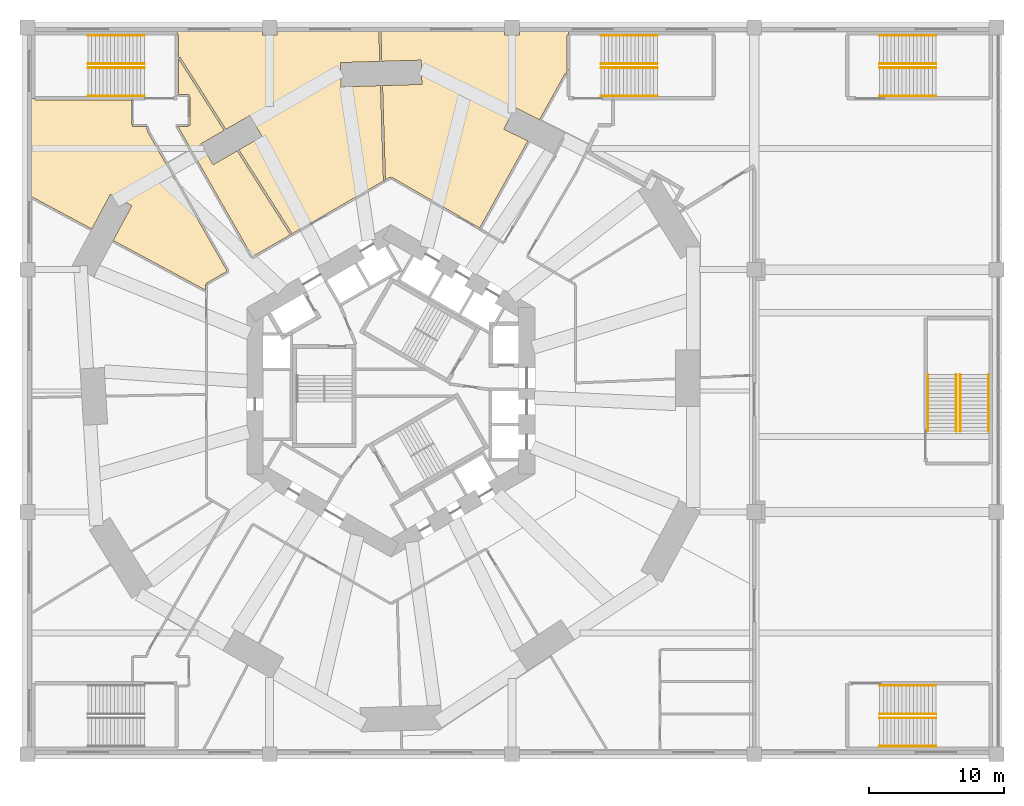
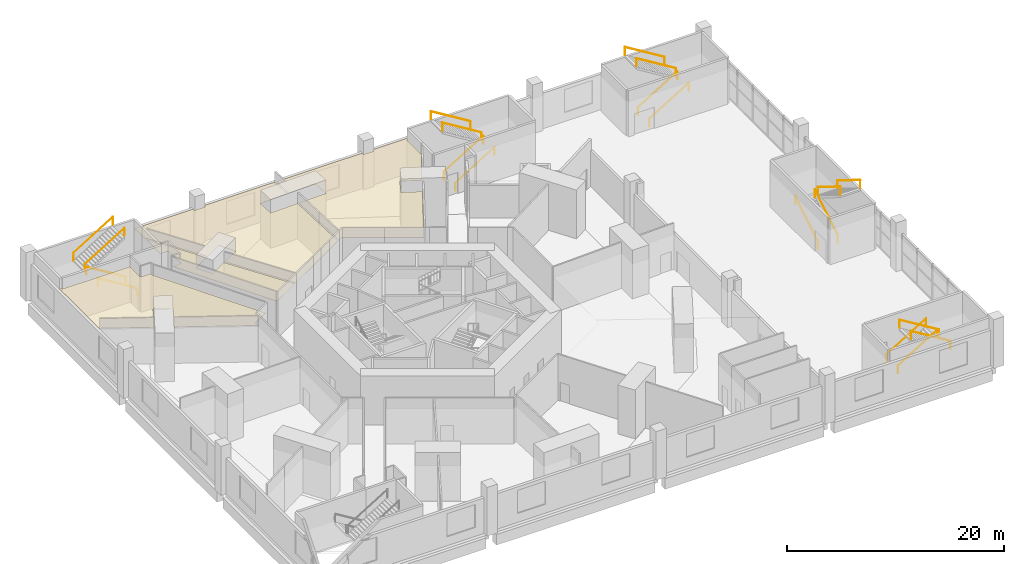
# One storey, part 16 of 16: 20 railings, 4 coverings.
"""IFC4 building model written with IfcOpenShell, lengths in metres."""

from ifc_helpers import new_model, si_unit, direction, frame, origin, origin_2d, place, context, subcontext, project, spatial, polyline, circle, outline, extrude, material, layer, layer_set, type_object, element, save


model = new_model("IFC4")

# Units and contexts
model_context = context("Model", 3, precision=1e-05, world=origin(), true_north=direction((0.0, 1.0)))
body_context = subcontext(model_context, "Body", "Model", "MODEL_VIEW")
ifc_project = project(units=[si_unit("LENGTHUNIT", "METRE"), si_unit("AREAUNIT", "SQUARE_METRE"), si_unit("VOLUMEUNIT", "CUBIC_METRE"), si_unit("PLANEANGLEUNIT", "RADIAN"), si_unit("MASSUNIT", "GRAM", prefix="KILO")], contexts=[model_context])

# Site, building, storey
site_placement = place(None, origin())
site = spatial("IfcSite", under=ifc_project, at=site_placement, CompositionType="ELEMENT")
building_placement = place(site_placement, origin())
building = spatial("IfcBuilding", under=site, at=building_placement, Name="Vanh Sen Convention Tower", CompositionType="ELEMENT")
storey_placement = place(building_placement, frame((0.0, 0.0, 7.5)))
storey = spatial("IfcBuildingStorey", under=building, at=storey_placement, Name="L01", CompositionType="ELEMENT", Elevation=7.5)

# Railings
ifc_material_1 = material(Name="Stainless steel", Category="steel")
railing_type = type_object("IfcRailingType", Name="Podium handrail 900", PredefinedType="HANDRAIL", material=ifc_material_1)
for number, where, name in (
    (1, (36.300048828125, 21.89990234375, 0.171875), "Handrail PS1 L01"),
    (2, (36.300048828125, 24.0, 0.171875), "Handrail PS1 L01"),
):
    element("IfcRailing", number, at=place(storey_placement, frame(where)), inside=storey, type_object=railing_type, Name=name, PredefinedType="HANDRAIL", context=body_context, shape_type="SweptSolid", body=[
        extrude(circle(Radius=0.02392578125, at=origin_2d()), frame((0.0, 0.0, 0.8759765625), z_axis=(0.852242915053, 0.0, 0.523146264196), x_axis=(0.0, 1.0, 0.0)), (0.0, 0.0, 1.0), 4.92822265625),
        extrude(circle(Radius=0.02099609375, at=origin_2d()), origin(), (0.0, 0.0, 1.0), 0.851806640625),
        extrude(circle(Radius=0.02099609375, at=origin_2d()), frame((4.199951171875, 0.0, 2.578125)), (0.0, 0.0, 1.0), 0.851806640625),
    ])
for number, where, name in (
    (3, (40.5, 26.39990234375, 2.921875), "Handrail PS1 L01"),
    (4, (40.5, 24.300048828125, 2.921875), "Handrail PS1 L01"),
):
    element("IfcRailing", number, at=place(storey_placement, frame(where)), inside=storey, type_object=railing_type, Name=name, PredefinedType="HANDRAIL", context=body_context, shape_type="SweptSolid", body=[
        extrude(circle(Radius=0.02392578125, at=origin_2d()), frame((0.0, 0.0, 0.8759765625), z_axis=(-0.852242915053, 0.0, 0.523146264196), x_axis=(0.0, -1.0, 0.0)), (0.0, 0.0, 1.0), 4.92822265625),
        extrude(circle(Radius=0.02099609375, at=origin_2d()), origin(), (0.0, 0.0, 1.0), 0.851806640625),
        extrude(circle(Radius=0.02099609375, at=origin_2d()), frame((-4.199951171875, 0.0, 2.578125)), (0.0, 0.0, 1.0), 0.851806640625),
    ])
for number, where, name in (
    (5, (36.300048828125, -21.89990234375, 0.171875), "Handrail PS2 L01"),
    (6, (36.300048828125, -24.0, 0.171875), "Handrail PS2 L01"),
):
    element("IfcRailing", number, at=place(storey_placement, frame(where)), inside=storey, type_object=railing_type, Name=name, PredefinedType="HANDRAIL", context=body_context, shape_type="SweptSolid", body=[
        extrude(circle(Radius=0.02392578125, at=origin_2d()), frame((0.0, 0.0, 0.8759765625), z_axis=(0.852242915053, 0.0, 0.523146264196), x_axis=(0.0, 1.0, 0.0)), (0.0, 0.0, 1.0), 4.92822265625),
        extrude(circle(Radius=0.02099609375, at=origin_2d()), origin(), (0.0, 0.0, 1.0), 0.851806640625),
        extrude(circle(Radius=0.02099609375, at=origin_2d()), frame((4.199951171875, 0.0, 2.578125)), (0.0, 0.0, 1.0), 0.851806640625),
    ])
for number, where, name in (
    (7, (40.5, -26.39990234375, 2.921875), "Handrail PS2 L01"),
    (8, (40.5, -24.300048828125, 2.921875), "Handrail PS2 L01"),
):
    element("IfcRailing", number, at=place(storey_placement, frame(where)), inside=storey, type_object=railing_type, Name=name, PredefinedType="HANDRAIL", context=body_context, shape_type="SweptSolid", body=[
        extrude(circle(Radius=0.02392578125, at=origin_2d()), frame((0.0, 0.0, 0.8759765625), z_axis=(-0.852242915053, 0.0, 0.523146264196), x_axis=(0.0, -1.0, 0.0)), (0.0, 0.0, 1.0), 4.92822265625),
        extrude(circle(Radius=0.02099609375, at=origin_2d()), origin(), (0.0, 0.0, 1.0), 0.851806640625),
        extrude(circle(Radius=0.02099609375, at=origin_2d()), frame((-4.199951171875, 0.0, 2.578125)), (0.0, 0.0, 1.0), 0.851806640625),
    ])
for number, where, name in (
    (9, (39.89990234375, -3.0, 0.171875), "Handrail PS3 L01"),
    (10, (42.0, -3.0, 0.171875), "Handrail PS3 L01"),
):
    element("IfcRailing", number, at=place(storey_placement, frame(where)), inside=storey, type_object=railing_type, Name=name, PredefinedType="HANDRAIL", context=body_context, shape_type="SweptSolid", body=[
        extrude(circle(Radius=0.02392578125, at=origin_2d()), frame((0.0, 0.0, 0.8759765625), z_axis=(0.0, 0.852242915053, 0.523146264196), x_axis=(-1.0, 0.0, 0.0)), (0.0, 0.0, 1.0), 4.92822265625),
        extrude(circle(Radius=0.02099609375, at=origin_2d()), origin(), (0.0, 0.0, 1.0), 0.851806640625),
        extrude(circle(Radius=0.02099609375, at=origin_2d()), frame((0.0, 4.199951171875, 2.578125)), (0.0, 0.0, 1.0), 0.851806640625),
    ])
for number, where, name in (
    (11, (44.39990234375, 1.199951171875, 2.921875), "Handrail PS3 L01"),
    (12, (42.300048828125, 1.199951171875, 2.921875), "Handrail PS3 L01"),
):
    element("IfcRailing", number, at=place(storey_placement, frame(where)), inside=storey, type_object=railing_type, Name=name, PredefinedType="HANDRAIL", context=body_context, shape_type="SweptSolid", body=[
        extrude(circle(Radius=0.02392578125, at=origin_2d()), frame((0.0, 0.0, 0.8759765625), z_axis=(0.0, -0.852242915053, 0.523146264196), x_axis=(1.0, 0.0, 0.0)), (0.0, 0.0, 1.0), 4.92822265625),
        extrude(circle(Radius=0.02099609375, at=origin_2d()), origin(), (0.0, 0.0, 1.0), 0.851806640625),
        extrude(circle(Radius=0.02099609375, at=origin_2d()), frame((0.0, -4.199951171875, 2.578125)), (0.0, 0.0, 1.0), 0.851806640625),
    ])
for number, where, name in (
    (13, (15.60009765625, 21.89990234375, 0.171875), "Handrail PS4 L01"),
    (14, (15.60009765625, 24.0, 0.171875), "Handrail PS4 L01"),
):
    element("IfcRailing", number, at=place(storey_placement, frame(where)), inside=storey, type_object=railing_type, Name=name, PredefinedType="HANDRAIL", context=body_context, shape_type="SweptSolid", body=[
        extrude(circle(Radius=0.02392578125, at=origin_2d()), frame((0.0, 0.0, 0.8759765625), z_axis=(0.852242915053, 0.0, 0.523146264196), x_axis=(0.0, 1.0, 0.0)), (0.0, 0.0, 1.0), 4.92822265625),
        extrude(circle(Radius=0.02099609375, at=origin_2d()), origin(), (0.0, 0.0, 1.0), 0.851806640625),
        extrude(circle(Radius=0.02099609375, at=origin_2d()), frame((4.199951171875, 0.0, 2.578125)), (0.0, 0.0, 1.0), 0.851806640625),
    ])
for number, where, name in (
    (15, (19.800048828125, 26.39990234375, 2.921875), "Handrail PS4 L01"),
    (16, (19.800048828125, 24.300048828125, 2.921875), "Handrail PS4 L01"),
    (17, (-18.300048828125, 21.89990234375, 0.171875), "Handrail PS5 L01"),
    (18, (-18.300048828125, 24.0, 0.171875), "Handrail PS5 L01"),
):
    element("IfcRailing", number, at=place(storey_placement, frame(where)), inside=storey, type_object=railing_type, Name=name, PredefinedType="HANDRAIL", context=body_context, shape_type="SweptSolid", body=[
        extrude(circle(Radius=0.02392578125, at=origin_2d()), frame((0.0, 0.0, 0.8759765625), z_axis=(-0.852242915053, 0.0, 0.523146264196), x_axis=(0.0, -1.0, 0.0)), (0.0, 0.0, 1.0), 4.92822265625),
        extrude(circle(Radius=0.02099609375, at=origin_2d()), origin(), (0.0, 0.0, 1.0), 0.851806640625),
        extrude(circle(Radius=0.02099609375, at=origin_2d()), frame((-4.199951171875, 0.0, 2.578125)), (0.0, 0.0, 1.0), 0.851806640625),
    ])
for number, where, name in (
    (19, (-22.5, 26.39990234375, 2.921875), "Handrail PS5 L01"),
    (20, (-22.5, 24.300048828125, 2.921875), "Handrail PS5 L01"),
):
    element("IfcRailing", number, at=place(storey_placement, frame(where)), inside=storey, type_object=railing_type, Name=name, PredefinedType="HANDRAIL", context=body_context, shape_type="SweptSolid", body=[
        extrude(circle(Radius=0.02392578125, at=origin_2d()), frame((0.0, 0.0, 0.8759765625), z_axis=(0.852242915053, 0.0, 0.523146264196), x_axis=(0.0, 1.0, 0.0)), (0.0, 0.0, 1.0), 4.92822265625),
        extrude(circle(Radius=0.02099609375, at=origin_2d()), origin(), (0.0, 0.0, 1.0), 0.851806640625),
        extrude(circle(Radius=0.02099609375, at=origin_2d()), frame((4.199951171875, 0.0, 2.578125)), (0.0, 0.0, 1.0), 0.851806640625),
    ])

# Coverings
ifc_material_2 = material(Name="Mineral fibre tiles in a concealed grid")
ifc_layer = layer(ifc_material_2, 0.0400390625)
ifc_layer_set = layer_set([ifc_layer], Name="Mineral fibre tiles in a concealed grid")
covering_type = type_object("IfcCoveringType", Name="Suspended ceiling 600 x 600 tile", PredefinedType="CEILING", material=ifc_layer_set)
covering_1_placement = place(storey_placement, frame((0.0, 0.0, 3.9599609375)))
element("IfcCovering", 21, at=covering_1_placement, inside=storey, type_object=covering_type, Name="Suspended ceiling CL3 Breakout meeting room", PredefinedType="CEILING", context=body_context, shape_type="SweptSolid", body=[
    extrude(outline(polyline([(10.174560546875, 18.560302734375), (8.396484375, 19.44677734375), (9.19970703125, 21.0576171875), (11.11181640625, 20.104248046875), (11.047607421875, 20.139892578125), (12.944580078125, 23.574462890625), (13.011474609375, 23.53759765625), (13.074951171875, 23.652587890625), (13.074951171875, 23.85107421875), (13.18505859375, 23.85107421875), (13.199951171875, 23.87841796875), (13.074951171875, 23.87841796875), (13.074951171875, 26.43994140625), (13.199951171875, 26.43994140625), (13.199951171875, 26.699951171875), (9.550048828125, 26.699951171875), (9.550048828125, 26.449951171875), (8.449951171875, 26.449951171875), (8.449951171875, 26.699951171875), (-0.740478515625, 26.699951171875), (-0.672607421875, 24.47900390625), (2.250732421875, 24.568359375), (2.305908203125, 22.769287109375), (-0.617919921875, 22.679931640625), (-0.50390625, 18.947998046875), (-0.404052734375, 15.673095703125), (-0.03759765625, 15.884521484375), (0.0, 15.819580078125), (0.052001953125, 15.78955078125), (0.089599609375, 15.8544921875), (3.423583984375, 13.929443359375), (6.66552734375, 12.0576171875), (6.66748046875, 12.06201171875), (6.60205078125, 12.098388671875), (10.174560546875, 18.560302734375)])), origin(), (0.0, 0.0, 1.0), 0.0400390625),
])
covering_2_placement = place(storey_placement, frame((0.0, 0.0, 3.9599609375)))
element("IfcCovering", 22, at=covering_2_placement, inside=storey, type_object=covering_type, Name="Suspended ceiling CL3 Breakout meeting room", PredefinedType="CEILING", context=body_context, shape_type="SweptSolid", body=[
    extrude(outline(polyline([(-0.512451171875, 15.610107421875), (-0.4775390625, 15.630615234375), (-0.478515625, 15.6650390625), (-0.553466796875, 15.6630859375), (-0.654052734375, 18.943115234375), (-0.76806640625, 22.67529296875), (-3.69140625, 22.5859375), (-3.746337890625, 24.38525390625), (-0.822509765625, 24.474609375), (-0.890380859375, 26.697509765625), (-0.8154296875, 26.699951171875), (-8.449951171875, 26.699951171875), (-8.449951171875, 26.449951171875), (-9.550048828125, 26.449951171875), (-9.550048828125, 26.699951171875), (-15.89990234375, 26.699951171875), (-15.89990234375, 26.43994140625), (-15.77490234375, 26.43994140625), (-15.77490234375, 25.021484375), (-15.77490234375, 24.824951171875), (-15.717529296875, 24.734619140625), (-15.654541015625, 24.77490234375), (-12.256591796875, 19.427490234375), (-12.320068359375, 19.387451171875), (-12.31982421875, 19.387451171875), (-10.468017578125, 20.45654296875), (-9.568115234375, 18.897705078125), (-11.288818359375, 17.904296875), (-7.333984375, 11.680908203125), (-7.3974609375, 11.64111328125), (-7.39501953125, 11.636962890625), (-7.39208984375, 11.638427734375), (-4.722412109375, 13.179443359375), (-3.49755859375, 13.886962890625), (-2.12451171875, 14.679443359375), (-0.512451171875, 15.610107421875)])), origin(), (0.0, 0.0, 1.0), 0.0400390625),
])
covering_3_placement = place(storey_placement, frame((0.0, 0.0, 3.9599609375)))
element("IfcCovering", 23, at=covering_3_placement, inside=storey, type_object=covering_type, Name="Suspended ceiling CL3 Breakout meeting room", PredefinedType="CEILING", context=body_context, shape_type="SweptSolid", body=[
    extrude(outline(polyline([(-26.43994140625, 21.60009765625), (-26.43994140625, 21.72509765625), (-26.699951171875, 21.72509765625), (-26.699951171875, 14.346435546875), (-26.66455078125, 14.41259765625), (-22.215576171875, 12.02197265625), (-20.8310546875, 14.5986328125), (-19.245361328125, 13.74658203125), (-20.6298828125, 11.169921875), (-13.77490234375, 7.487060546875), (-13.77490234375, 7.909423828125), (-13.699951171875, 7.909423828125), (-13.64794921875, 7.939453125), (-13.685546875, 8.00439453125), (-12.090087890625, 8.925537109375), (-12.052490234375, 8.860595703125), (-12.092041015625, 8.929931640625), (-12.157470703125, 8.89306640625), (-18.097900390625, 19.305419921875), (-18.032958984375, 19.342529296875), (-18.0380859375, 19.362060546875), (-18.110595703125, 19.342529296875), (-18.172607421875, 19.574951171875), (-18.10009765625, 19.594482421875), (-18.10009765625, 19.64990234375), (-19.199951171875, 19.64990234375), (-19.199951171875, 19.72509765625), (-19.199951171875, 19.800048828125), (-19.199951171875, 19.804931640625), (-19.27490234375, 19.804931640625), (-19.27490234375, 21.5849609375), (-19.199951171875, 21.5849609375), (-19.199951171875, 21.60009765625), (-26.43994140625, 21.60009765625)])), origin(), (0.0, 0.0, 1.0), 0.0400390625),
])
covering_4_placement = place(storey_placement, frame((0.0, 0.0, 3.9599609375)))
element("IfcCovering", 24, at=covering_4_placement, inside=storey, type_object=covering_type, Name="Suspended ceiling CL3 Breakout meeting room", PredefinedType="CEILING", context=body_context, shape_type="SweptSolid", body=[
    extrude(outline(polyline([(-11.4169921875, 17.826416015625), (-11.35400390625, 17.86669921875), (-13.205322265625, 16.7978515625), (-14.10546875, 18.356689453125), (-12.384521484375, 19.35009765625), (-15.77490234375, 24.68505859375), (-15.77490234375, 21.925048828125), (-15.760009765625, 21.925048828125), (-15.760009765625, 22.0), (-15.0, 22.0), (-15.0, 21.925048828125), (-15.0, 21.85009765625), (-15.0, 21.844970703125), (-14.925048828125, 21.844970703125), (-14.925048828125, 19.72509765625), (-15.0, 19.72509765625), (-15.074951171875, 19.72509765625), (-15.080078125, 19.72509765625), (-15.080078125, 19.64990234375), (-15.819580078125, 19.64990234375), (-10.294921875, 9.967041015625), (-10.360107421875, 9.929931640625), (-10.357421875, 9.925537109375), (-7.39501953125, 11.636962890625), (-7.3974609375, 11.64111328125), (-7.46044921875, 11.60107421875), (-11.4169921875, 17.826416015625)])), origin(), (0.0, 0.0, 1.0), 0.0400390625),
])

save(model, "model.ifc")
